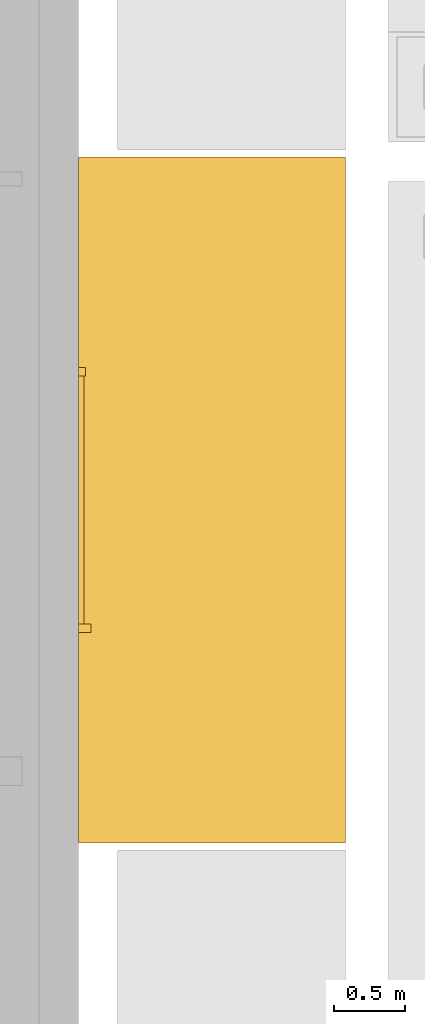
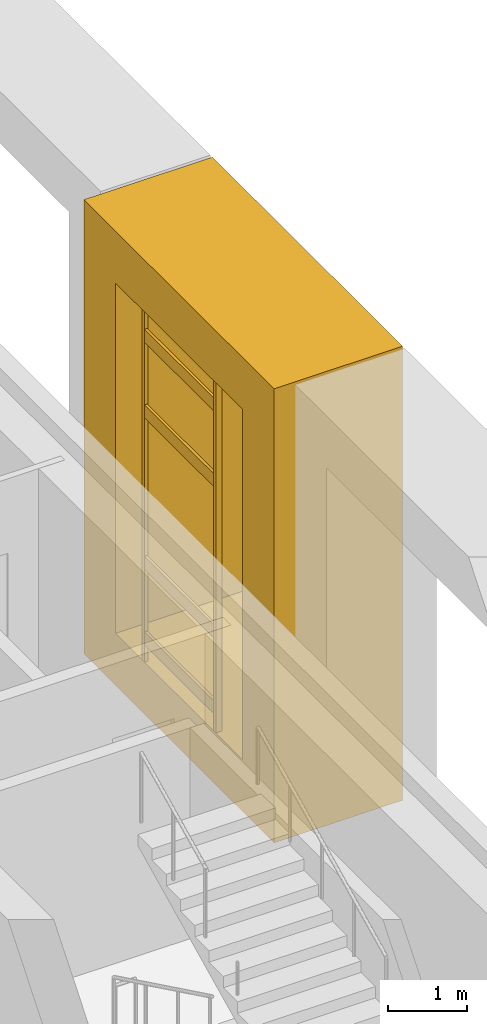
# One storey, part 20 of 22: 7 coverings.
"""IFC4 building model written with IfcOpenShell, lengths in metres."""

from ifc_helpers import new_model, si_unit, direction, frame, origin, origin_2d, place, context, subcontext, project, spatial, polyline, rectangle, outline, extrude, material, type_object, element, save


model = new_model("IFC4")

# Units and contexts
model_context = context("Model", 3, precision=1e-05, world=origin(), true_north=direction((0.0, 1.0)))
body_context = subcontext(model_context, "Body", "Model", "MODEL_VIEW")
ifc_project = project(units=[si_unit("LENGTHUNIT", "METRE"), si_unit("AREAUNIT", "SQUARE_METRE"), si_unit("VOLUMEUNIT", "CUBIC_METRE"), si_unit("PLANEANGLEUNIT", "RADIAN"), si_unit("MASSUNIT", "GRAM", prefix="KILO")], contexts=[model_context])

# Site, building, storey
site_placement = place(None, origin())
site = spatial("IfcSite", under=ifc_project, at=site_placement, CompositionType="ELEMENT")
building_placement = place(site_placement, origin())
building = spatial("IfcBuilding", under=site, at=building_placement, Name="Cobrizo Arcos Hotel Tower", CompositionType="ELEMENT")
storey_placement = place(building_placement, frame((0.0, 0.0, 155.0)))
storey = spatial("IfcBuildingStorey", under=building, at=storey_placement, Name="L39", CompositionType="ELEMENT", Elevation=155.0)

# Coverings
ifc_material_1 = material(Name="Aluminium 6063-T6 anodised bronze", Category="aluminium")
covering_type_1 = type_object("IfcCoveringType", Name="FIN-F 1875", PredefinedType="CLADDING", material=ifc_material_1)
covering_1_placement = place(storey_placement, frame((21.875, -2.403564453125, 0.0), z_axis=(1.0, 0.0, 0.0), x_axis=(0.0, 1.0, 0.0)))
element("IfcCovering", 1, at=covering_1_placement, inside=storey, type_object=covering_type_1, Name="Fin frame 208", PredefinedType="CLADDING", context=body_context, shape_type="SweptSolid", body=[
    extrude(outline(polyline([(0.0, 7.0), (0.0, 0.0), (4.80712890625, 0.0), (4.80712890625, 7.0), (0.0, 7.0)]), holes=[polyline([(4.007080078125, 0.800048828125), (0.800048828125, 0.800048828125), (0.800048828125, 6.199951171875), (4.007080078125, 6.199951171875), (4.007080078125, 0.800048828125)])]), origin(), (0.0, 0.0, 1.0), 1.875),
])
ifc_material_2 = material(Name="Aluminium 6063-T6 anodised pale", Category="aluminium")
covering_type_2 = type_object("IfcCoveringType", Name="RS-1 rainscreen rib 60x90", PredefinedType="CLADDING", material=ifc_material_2)
covering_2_placement = place(storey_placement, frame((21.919921875, -0.89990234375, 0.800048828125), z_axis=(0.0, 0.0, 1.0), x_axis=(0.0, 1.0, 0.0)))
element("IfcCovering", 2, at=covering_2_placement, inside=storey, type_object=covering_type_2, Name="Rainscreen rib 171", PredefinedType="CLADDING", context=body_context, shape_type="SweptSolid", body=[
    extrude(rectangle(XDim=0.06005859375, YDim=0.090087890625, at=origin_2d()), origin(), (0.0, 0.0, 1.0), 5.39990234375),
])
covering_type_3 = type_object("IfcCoveringType", Name="RS-2 rainscreen rib 60x50", PredefinedType="CLADDING", material=ifc_material_2)
covering_3_placement = place(storey_placement, frame((21.89990234375, 0.89990234375, 0.800048828125), z_axis=(0.0, 0.0, 1.0), x_axis=(0.0, 1.0, 0.0)))
element("IfcCovering", 3, at=covering_3_placement, inside=storey, type_object=covering_type_3, Name="Rainscreen rib 172", PredefinedType="CLADDING", context=body_context, shape_type="SweptSolid", body=[
    extrude(rectangle(XDim=0.06005859375, YDim=0.050048828125, at=origin_2d()), origin(), (0.0, 0.0, 1.0), 5.39990234375),
])
covering_type_4 = type_object("IfcCoveringType", Name="RS-3 rainscreen louvre slat 200x40", PredefinedType="CLADDING", material=ifc_material_2)
for number, where, z_axis, x_axis, name in (
    (4, (21.89501953125, 0.0, 1.06689453125), (0.0, 0.0, 1.0), (0.0, 1.0, 0.0), "Rainscreen slat 13"),
    (5, (21.89501953125, 0.0, 2.2333984375), (0.0, 0.0, 1.0), (0.0, 1.0, 0.0), "Rainscreen slat 14"),
    (6, (21.89501953125, 0.0, 4.56689453125), (0.0, 0.0, 1.0), (0.0, 1.0, 0.0), "Rainscreen slat 15"),
    (7, (21.89501953125, 0.0, 5.7333984375), (0.0, 0.0, 1.0), (0.0, 1.0, 0.0), "Rainscreen slat 16"),
):
    element("IfcCovering", number, at=place(storey_placement, frame(where, z_axis=z_axis, x_axis=x_axis)), inside=storey, type_object=covering_type_4, Name=name, PredefinedType="CLADDING", context=body_context, shape_type="SweptSolid", body=[
        extrude(rectangle(XDim=1.739990234375, YDim=0.0400390625, at=origin_2d()), origin(), (0.0, 0.0, 1.0), 0.199951171875),
    ])

save(model, "model.ifc")
